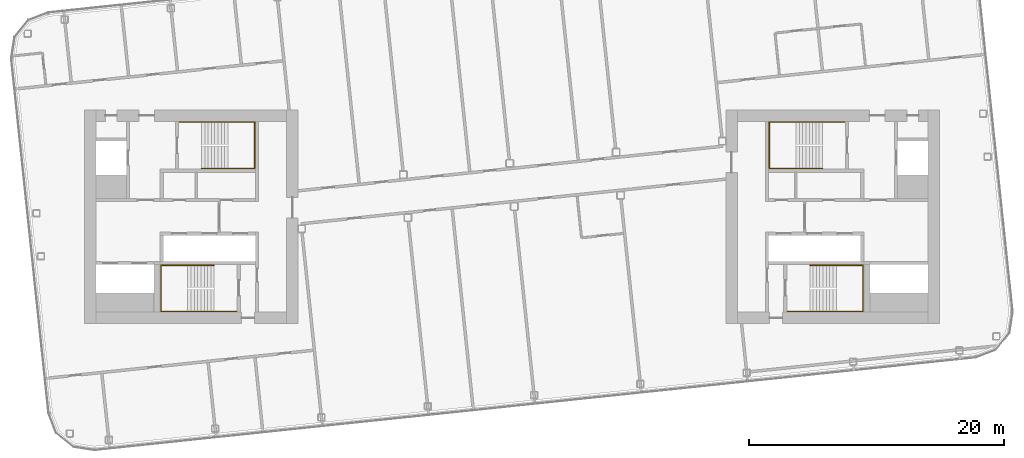
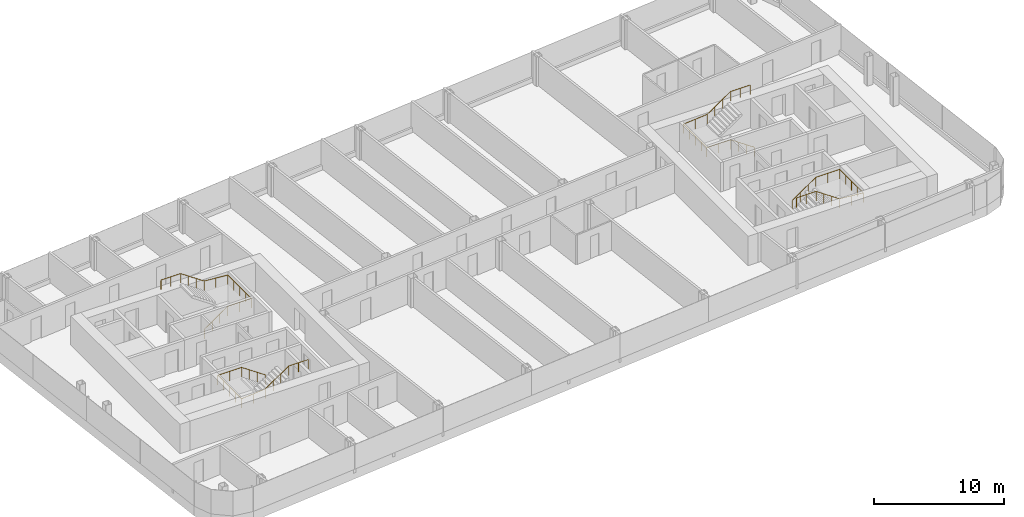
# One storey, part 26 of 26: 4 railings.
"""IFC4 building model written with IfcOpenShell, lengths in metres."""

from ifc_helpers import new_model, si_unit, direction, frame, origin, origin_2d, place, context, subcontext, project, spatial, circle, extrude, material, type_object, element, save


model = new_model("IFC4")

# Units and contexts
model_context = context("Model", 3, precision=1e-05, world=origin(), true_north=direction((0.0, 1.0)))
body_context = subcontext(model_context, "Body", "Model", "MODEL_VIEW")
ifc_project = project(units=[si_unit("LENGTHUNIT", "METRE"), si_unit("AREAUNIT", "SQUARE_METRE"), si_unit("VOLUMEUNIT", "CUBIC_METRE"), si_unit("PLANEANGLEUNIT", "RADIAN"), si_unit("MASSUNIT", "GRAM", prefix="KILO")], contexts=[model_context])

# Site, building, storey
site_placement = place(None, origin())
site = spatial("IfcSite", under=ifc_project, at=site_placement, CompositionType="ELEMENT")
building_placement = place(site_placement, origin())
building = spatial("IfcBuilding", under=site, at=building_placement, Name="Hakoniwa Tower and Hamabe Station Hall", CompositionType="ELEMENT")
storey_placement = place(building_placement, frame((0.0, 0.0, 251.800048828125)))
storey = spatial("IfcBuildingStorey", under=building, at=storey_placement, Name="L71", CompositionType="ELEMENT", Elevation=251.800048828125)

# Railings
ifc_material = material(Name="Stainless steel SUS304", Category="steel")
railing_type = type_object("IfcRailingType", Name="STAIR HANDRAIL 900", PredefinedType="HANDRAIL", material=ifc_material)
railing_1_placement = place(storey_placement, frame((-24.39990234375, 3.81005859375, 0.177734375)))
element("IfcRailing", 1, at=railing_1_placement, inside=storey, type_object=railing_type, Name="Handrail ST-1 L71 1", PredefinedType="HANDRAIL", context=body_context, shape_type="SweptSolid", body=[
    extrude(circle(Radius=0.02392578125, at=origin_2d()), frame((0.0, 0.0, 0.8759765625), z_axis=(0.825478349766, 0.0, 0.564433781827), x_axis=(0.0, 1.0, 0.0)), (0.0, 0.0, 1.0), 2.51953125),
    extrude(circle(Radius=0.02392578125, at=origin_2d()), frame((2.079833984375, 0.0, 2.2978515625), z_axis=(1.0, 0.0, 0.0), x_axis=(0.0, 1.0, 0.0)), (0.0, 0.0, 1.0), 2.110107421875),
    extrude(circle(Radius=0.02392578125, at=origin_2d()), frame((4.18994140625, 0.0, 2.2978515625), z_axis=(0.0, 1.0, 0.0), x_axis=(-1.0, 0.0, 0.0)), (0.0, 0.0, 1.0), 3.6298828125),
    extrude(circle(Radius=0.02392578125, at=origin_2d()), frame((4.18994140625, 3.6298828125, 2.2978515625), z_axis=(-0.996461767938, 0.0, 0.084047278587), x_axis=(0.0, -1.0, 0.0)), (0.0, 0.0, 1.0), 2.11767578125),
    extrude(circle(Radius=0.02392578125, at=origin_2d()), frame((2.079833984375, 3.6298828125, 2.47607421875), z_axis=(-0.825478349766, 0.0, 0.564433781827), x_axis=(0.0, -1.0, 0.0)), (0.0, 0.0, 1.0), 2.51953125),
    extrude(circle(Radius=0.02392578125, at=origin_2d()), frame((0.0, 3.6298828125, 3.89794921875), z_axis=(-1.0, 0.0, 0.0), x_axis=(0.0, -1.0, 0.0)), (0.0, 0.0, 1.0), 1.739990234375),
    extrude(circle(Radius=0.02099609375, at=origin_2d()), origin(), (0.0, 0.0, 1.0), 0.851806640625),
    extrude(circle(Radius=0.02099609375, at=origin_2d()), frame((0.693359375, 0.0, 0.47412109375)), (0.0, 0.0, 1.0), 0.851806640625),
    extrude(circle(Radius=0.02099609375, at=origin_2d()), frame((1.386474609375, 0.0, 0.947998046875)), (0.0, 0.0, 1.0), 0.851806640625),
    extrude(circle(Radius=0.02099609375, at=origin_2d()), frame((2.079833984375, 0.0, 1.422119140625)), (0.0, 0.0, 1.0), 0.851806640625),
    extrude(circle(Radius=0.02099609375, at=origin_2d()), frame((3.134765625, 0.0, 1.422119140625)), (0.0, 0.0, 1.0), 0.851806640625),
    extrude(circle(Radius=0.02099609375, at=origin_2d()), frame((4.18994140625, 0.0, 1.422119140625)), (0.0, 0.0, 1.0), 0.851806640625),
    extrude(circle(Radius=0.02099609375, at=origin_2d()), frame((4.18994140625, 0.907470703125, 1.422119140625)), (0.0, 0.0, 1.0), 0.851806640625),
    extrude(circle(Radius=0.02099609375, at=origin_2d()), frame((4.18994140625, 1.81494140625, 1.422119140625)), (0.0, 0.0, 1.0), 0.851806640625),
    extrude(circle(Radius=0.02099609375, at=origin_2d()), frame((4.18994140625, 2.722412109375, 1.422119140625)), (0.0, 0.0, 1.0), 0.851806640625),
    extrude(circle(Radius=0.02099609375, at=origin_2d()), frame((4.18994140625, 3.6298828125, 1.422119140625)), (0.0, 0.0, 1.0), 0.851806640625),
    extrude(circle(Radius=0.02099609375, at=origin_2d()), frame((3.134765625, 3.6298828125, 1.51123046875)), (0.0, 0.0, 1.0), 0.851806640625),
    extrude(circle(Radius=0.02099609375, at=origin_2d()), frame((2.079833984375, 3.6298828125, 1.60009765625)), (0.0, 0.0, 1.0), 0.851806640625),
    extrude(circle(Radius=0.02099609375, at=origin_2d()), frame((1.386474609375, 3.6298828125, 2.07421875)), (0.0, 0.0, 1.0), 0.851806640625),
    extrude(circle(Radius=0.02099609375, at=origin_2d()), frame((0.693359375, 3.6298828125, 2.548095703125)), (0.0, 0.0, 1.0), 0.851806640625),
    extrude(circle(Radius=0.02099609375, at=origin_2d()), frame((0.0, 3.6298828125, 3.022216796875)), (0.0, 0.0, 1.0), 0.851806640625),
    extrude(circle(Radius=0.02099609375, at=origin_2d()), frame((-0.8701171875, 3.6298828125, 3.022216796875)), (0.0, 0.0, 1.0), 0.851806640625),
    extrude(circle(Radius=0.02099609375, at=origin_2d()), frame((-1.739990234375, 3.6298828125, 3.022216796875)), (0.0, 0.0, 1.0), 0.851806640625),
])
railing_2_placement = place(storey_placement, frame((-23.39990234375, -3.81005859375, 0.177734375)))
element("IfcRailing", 2, at=railing_2_placement, inside=storey, type_object=railing_type, Name="Handrail ST-2 L71 1", PredefinedType="HANDRAIL", context=body_context, shape_type="SweptSolid", body=[
    extrude(circle(Radius=0.02392578125, at=origin_2d()), frame((0.0, 0.0, 0.8759765625), z_axis=(-0.82550921652, 0.0, 0.564388636881), x_axis=(0.0, -1.0, 0.0)), (0.0, 0.0, 1.0), 2.519775390625),
    extrude(circle(Radius=0.02392578125, at=origin_2d()), frame((-2.080078125, 0.0, 2.2978515625), z_axis=(-1.0, 0.0, 0.0), x_axis=(0.0, -1.0, 0.0)), (0.0, 0.0, 1.0), 2.110107421875),
    extrude(circle(Radius=0.02392578125, at=origin_2d()), frame((-4.190185546875, 0.0, 2.2978515625), z_axis=(0.0, -1.0, 0.0), x_axis=(1.0, 0.0, 0.0)), (0.0, 0.0, 1.0), 3.6298828125),
    extrude(circle(Radius=0.02392578125, at=origin_2d()), frame((-4.190185546875, -3.6298828125, 2.2978515625), z_axis=(0.996461767938, 0.0, 0.084047278587), x_axis=(0.0, 1.0, 0.0)), (0.0, 0.0, 1.0), 2.11767578125),
    extrude(circle(Radius=0.02392578125, at=origin_2d()), frame((-2.080078125, -3.6298828125, 2.47607421875), z_axis=(0.82550921652, 0.0, 0.564388636881), x_axis=(0.0, 1.0, 0.0)), (0.0, 0.0, 1.0), 2.519775390625),
    extrude(circle(Radius=0.02392578125, at=origin_2d()), frame((0.0, -3.6298828125, 3.89794921875), z_axis=(1.0, 0.0, 0.0), x_axis=(0.0, 1.0, 0.0)), (0.0, 0.0, 1.0), 1.739990234375),
    extrude(circle(Radius=0.02099609375, at=origin_2d()), origin(), (0.0, 0.0, 1.0), 0.851806640625),
    extrude(circle(Radius=0.02099609375, at=origin_2d()), frame((-0.693359375, 0.0, 0.47412109375)), (0.0, 0.0, 1.0), 0.851806640625),
    extrude(circle(Radius=0.02099609375, at=origin_2d()), frame((-1.38671875, 0.0, 0.947998046875)), (0.0, 0.0, 1.0), 0.851806640625),
    extrude(circle(Radius=0.02099609375, at=origin_2d()), frame((-2.080078125, 0.0, 1.422119140625)), (0.0, 0.0, 1.0), 0.851806640625),
    extrude(circle(Radius=0.02099609375, at=origin_2d()), frame((-3.13525390625, 0.0, 1.422119140625)), (0.0, 0.0, 1.0), 0.851806640625),
    extrude(circle(Radius=0.02099609375, at=origin_2d()), frame((-4.190185546875, 0.0, 1.422119140625)), (0.0, 0.0, 1.0), 0.851806640625),
    extrude(circle(Radius=0.02099609375, at=origin_2d()), frame((-4.190185546875, -0.907470703125, 1.422119140625)), (0.0, 0.0, 1.0), 0.851806640625),
    extrude(circle(Radius=0.02099609375, at=origin_2d()), frame((-4.190185546875, -1.81494140625, 1.422119140625)), (0.0, 0.0, 1.0), 0.851806640625),
    extrude(circle(Radius=0.02099609375, at=origin_2d()), frame((-4.190185546875, -2.722412109375, 1.422119140625)), (0.0, 0.0, 1.0), 0.851806640625),
    extrude(circle(Radius=0.02099609375, at=origin_2d()), frame((-4.190185546875, -3.6298828125, 1.422119140625)), (0.0, 0.0, 1.0), 0.851806640625),
    extrude(circle(Radius=0.02099609375, at=origin_2d()), frame((-3.13525390625, -3.6298828125, 1.51123046875)), (0.0, 0.0, 1.0), 0.851806640625),
    extrude(circle(Radius=0.02099609375, at=origin_2d()), frame((-2.080078125, -3.6298828125, 1.60009765625)), (0.0, 0.0, 1.0), 0.851806640625),
    extrude(circle(Radius=0.02099609375, at=origin_2d()), frame((-1.38671875, -3.6298828125, 2.07421875)), (0.0, 0.0, 1.0), 0.851806640625),
    extrude(circle(Radius=0.02099609375, at=origin_2d()), frame((-0.693359375, -3.6298828125, 2.548095703125)), (0.0, 0.0, 1.0), 0.851806640625),
    extrude(circle(Radius=0.02099609375, at=origin_2d()), frame((0.0, -3.6298828125, 3.022216796875)), (0.0, 0.0, 1.0), 0.851806640625),
    extrude(circle(Radius=0.02099609375, at=origin_2d()), frame((0.8701171875, -3.6298828125, 3.022216796875)), (0.0, 0.0, 1.0), 0.851806640625),
    extrude(circle(Radius=0.02099609375, at=origin_2d()), frame((1.739990234375, -3.6298828125, 3.022216796875)), (0.0, 0.0, 1.0), 0.851806640625),
])
railing_3_placement = place(storey_placement, frame((24.39990234375, 3.81005859375, 0.177734375)))
element("IfcRailing", 3, at=railing_3_placement, inside=storey, type_object=railing_type, Name="Handrail ST-3 L71 1", PredefinedType="HANDRAIL", context=body_context, shape_type="SweptSolid", body=[
    extrude(circle(Radius=0.02392578125, at=origin_2d()), frame((0.0, 0.0, 0.8759765625), z_axis=(-0.825478349766, 0.0, 0.564433781827), x_axis=(0.0, -1.0, 0.0)), (0.0, 0.0, 1.0), 2.51953125),
    extrude(circle(Radius=0.02392578125, at=origin_2d()), frame((-2.079833984375, 0.0, 2.2978515625), z_axis=(-1.0, 0.0, 0.0), x_axis=(0.0, -1.0, 0.0)), (0.0, 0.0, 1.0), 2.110107421875),
    extrude(circle(Radius=0.02392578125, at=origin_2d()), frame((-4.18994140625, 0.0, 2.2978515625), z_axis=(0.0, 1.0, 0.0), x_axis=(-1.0, 0.0, 0.0)), (0.0, 0.0, 1.0), 3.6298828125),
    extrude(circle(Radius=0.02392578125, at=origin_2d()), frame((-4.18994140625, 3.6298828125, 2.2978515625), z_axis=(0.996461767938, 0.0, 0.084047278587), x_axis=(0.0, 1.0, 0.0)), (0.0, 0.0, 1.0), 2.11767578125),
    extrude(circle(Radius=0.02392578125, at=origin_2d()), frame((-2.079833984375, 3.6298828125, 2.47607421875), z_axis=(0.825478349766, 0.0, 0.564433781827), x_axis=(0.0, 1.0, 0.0)), (0.0, 0.0, 1.0), 2.51953125),
    extrude(circle(Radius=0.02392578125, at=origin_2d()), frame((0.0, 3.6298828125, 3.89794921875), z_axis=(1.0, 0.0, 0.0), x_axis=(0.0, 1.0, 0.0)), (0.0, 0.0, 1.0), 1.739990234375),
    extrude(circle(Radius=0.02099609375, at=origin_2d()), origin(), (0.0, 0.0, 1.0), 0.851806640625),
    extrude(circle(Radius=0.02099609375, at=origin_2d()), frame((-0.693359375, 0.0, 0.47412109375)), (0.0, 0.0, 1.0), 0.851806640625),
    extrude(circle(Radius=0.02099609375, at=origin_2d()), frame((-1.386474609375, 0.0, 0.947998046875)), (0.0, 0.0, 1.0), 0.851806640625),
    extrude(circle(Radius=0.02099609375, at=origin_2d()), frame((-2.079833984375, 0.0, 1.422119140625)), (0.0, 0.0, 1.0), 0.851806640625),
    extrude(circle(Radius=0.02099609375, at=origin_2d()), frame((-3.134765625, 0.0, 1.422119140625)), (0.0, 0.0, 1.0), 0.851806640625),
    extrude(circle(Radius=0.02099609375, at=origin_2d()), frame((-4.18994140625, 0.0, 1.422119140625)), (0.0, 0.0, 1.0), 0.851806640625),
    extrude(circle(Radius=0.02099609375, at=origin_2d()), frame((-4.18994140625, 0.907470703125, 1.422119140625)), (0.0, 0.0, 1.0), 0.851806640625),
    extrude(circle(Radius=0.02099609375, at=origin_2d()), frame((-4.18994140625, 1.81494140625, 1.422119140625)), (0.0, 0.0, 1.0), 0.851806640625),
    extrude(circle(Radius=0.02099609375, at=origin_2d()), frame((-4.18994140625, 2.722412109375, 1.422119140625)), (0.0, 0.0, 1.0), 0.851806640625),
    extrude(circle(Radius=0.02099609375, at=origin_2d()), frame((-4.18994140625, 3.6298828125, 1.422119140625)), (0.0, 0.0, 1.0), 0.851806640625),
    extrude(circle(Radius=0.02099609375, at=origin_2d()), frame((-3.134765625, 3.6298828125, 1.51123046875)), (0.0, 0.0, 1.0), 0.851806640625),
    extrude(circle(Radius=0.02099609375, at=origin_2d()), frame((-2.079833984375, 3.6298828125, 1.60009765625)), (0.0, 0.0, 1.0), 0.851806640625),
    extrude(circle(Radius=0.02099609375, at=origin_2d()), frame((-1.386474609375, 3.6298828125, 2.07421875)), (0.0, 0.0, 1.0), 0.851806640625),
    extrude(circle(Radius=0.02099609375, at=origin_2d()), frame((-0.693359375, 3.6298828125, 2.548095703125)), (0.0, 0.0, 1.0), 0.851806640625),
    extrude(circle(Radius=0.02099609375, at=origin_2d()), frame((0.0, 3.6298828125, 3.022216796875)), (0.0, 0.0, 1.0), 0.851806640625),
    extrude(circle(Radius=0.02099609375, at=origin_2d()), frame((0.8701171875, 3.6298828125, 3.022216796875)), (0.0, 0.0, 1.0), 0.851806640625),
    extrude(circle(Radius=0.02099609375, at=origin_2d()), frame((1.739990234375, 3.6298828125, 3.022216796875)), (0.0, 0.0, 1.0), 0.851806640625),
])
railing_4_placement = place(storey_placement, frame((23.39990234375, -3.81005859375, 0.177734375)))
element("IfcRailing", 4, at=railing_4_placement, inside=storey, type_object=railing_type, Name="Handrail ST-4 L71 1", PredefinedType="HANDRAIL", context=body_context, shape_type="SweptSolid", body=[
    extrude(circle(Radius=0.02392578125, at=origin_2d()), frame((0.0, 0.0, 0.8759765625), z_axis=(0.82550921652, 0.0, 0.564388636881), x_axis=(0.0, 1.0, 0.0)), (0.0, 0.0, 1.0), 2.519775390625),
    extrude(circle(Radius=0.02392578125, at=origin_2d()), frame((2.080078125, 0.0, 2.2978515625), z_axis=(1.0, 0.0, 0.0), x_axis=(0.0, 1.0, 0.0)), (0.0, 0.0, 1.0), 2.110107421875),
    extrude(circle(Radius=0.02392578125, at=origin_2d()), frame((4.190185546875, 0.0, 2.2978515625), z_axis=(0.0, -1.0, 0.0), x_axis=(1.0, 0.0, 0.0)), (0.0, 0.0, 1.0), 3.6298828125),
    extrude(circle(Radius=0.02392578125, at=origin_2d()), frame((4.190185546875, -3.6298828125, 2.2978515625), z_axis=(-0.996461767938, 0.0, 0.084047278587), x_axis=(0.0, -1.0, 0.0)), (0.0, 0.0, 1.0), 2.11767578125),
    extrude(circle(Radius=0.02392578125, at=origin_2d()), frame((2.080078125, -3.6298828125, 2.47607421875), z_axis=(-0.82550921652, 0.0, 0.564388636881), x_axis=(0.0, -1.0, 0.0)), (0.0, 0.0, 1.0), 2.519775390625),
    extrude(circle(Radius=0.02392578125, at=origin_2d()), frame((0.0, -3.6298828125, 3.89794921875), z_axis=(-1.0, 0.0, 0.0), x_axis=(0.0, -1.0, 0.0)), (0.0, 0.0, 1.0), 1.739990234375),
    extrude(circle(Radius=0.02099609375, at=origin_2d()), origin(), (0.0, 0.0, 1.0), 0.851806640625),
    extrude(circle(Radius=0.02099609375, at=origin_2d()), frame((0.693359375, 0.0, 0.47412109375)), (0.0, 0.0, 1.0), 0.851806640625),
    extrude(circle(Radius=0.02099609375, at=origin_2d()), frame((1.38671875, 0.0, 0.947998046875)), (0.0, 0.0, 1.0), 0.851806640625),
    extrude(circle(Radius=0.02099609375, at=origin_2d()), frame((2.080078125, 0.0, 1.422119140625)), (0.0, 0.0, 1.0), 0.851806640625),
    extrude(circle(Radius=0.02099609375, at=origin_2d()), frame((3.13525390625, 0.0, 1.422119140625)), (0.0, 0.0, 1.0), 0.851806640625),
    extrude(circle(Radius=0.02099609375, at=origin_2d()), frame((4.190185546875, 0.0, 1.422119140625)), (0.0, 0.0, 1.0), 0.851806640625),
    extrude(circle(Radius=0.02099609375, at=origin_2d()), frame((4.190185546875, -0.907470703125, 1.422119140625)), (0.0, 0.0, 1.0), 0.851806640625),
    extrude(circle(Radius=0.02099609375, at=origin_2d()), frame((4.190185546875, -1.81494140625, 1.422119140625)), (0.0, 0.0, 1.0), 0.851806640625),
    extrude(circle(Radius=0.02099609375, at=origin_2d()), frame((4.190185546875, -2.722412109375, 1.422119140625)), (0.0, 0.0, 1.0), 0.851806640625),
    extrude(circle(Radius=0.02099609375, at=origin_2d()), frame((4.190185546875, -3.6298828125, 1.422119140625)), (0.0, 0.0, 1.0), 0.851806640625),
    extrude(circle(Radius=0.02099609375, at=origin_2d()), frame((3.13525390625, -3.6298828125, 1.51123046875)), (0.0, 0.0, 1.0), 0.851806640625),
    extrude(circle(Radius=0.02099609375, at=origin_2d()), frame((2.080078125, -3.6298828125, 1.60009765625)), (0.0, 0.0, 1.0), 0.851806640625),
    extrude(circle(Radius=0.02099609375, at=origin_2d()), frame((1.38671875, -3.6298828125, 2.07421875)), (0.0, 0.0, 1.0), 0.851806640625),
    extrude(circle(Radius=0.02099609375, at=origin_2d()), frame((0.693359375, -3.6298828125, 2.548095703125)), (0.0, 0.0, 1.0), 0.851806640625),
    extrude(circle(Radius=0.02099609375, at=origin_2d()), frame((0.0, -3.6298828125, 3.022216796875)), (0.0, 0.0, 1.0), 0.851806640625),
    extrude(circle(Radius=0.02099609375, at=origin_2d()), frame((-0.8701171875, -3.6298828125, 3.022216796875)), (0.0, 0.0, 1.0), 0.851806640625),
    extrude(circle(Radius=0.02099609375, at=origin_2d()), frame((-1.739990234375, -3.6298828125, 3.022216796875)), (0.0, 0.0, 1.0), 0.851806640625),
])

save(model, "model.ifc")
